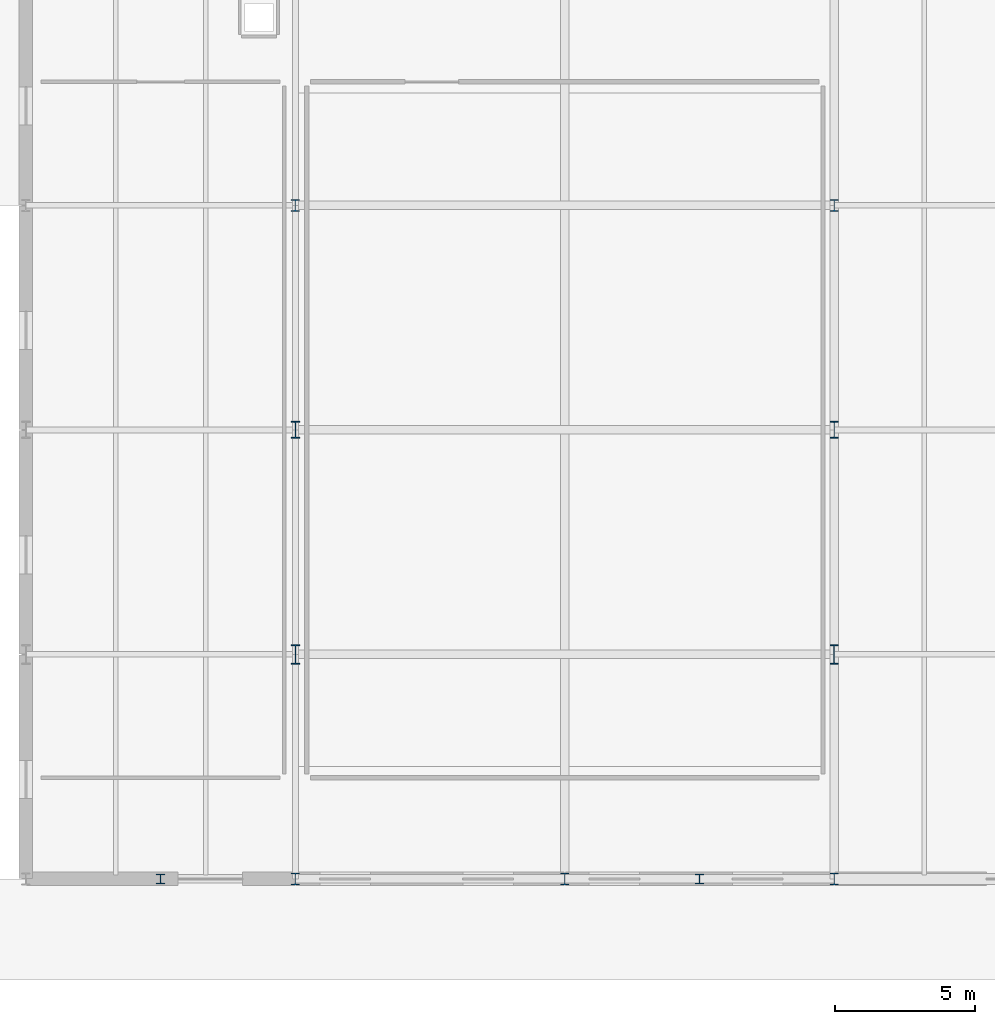
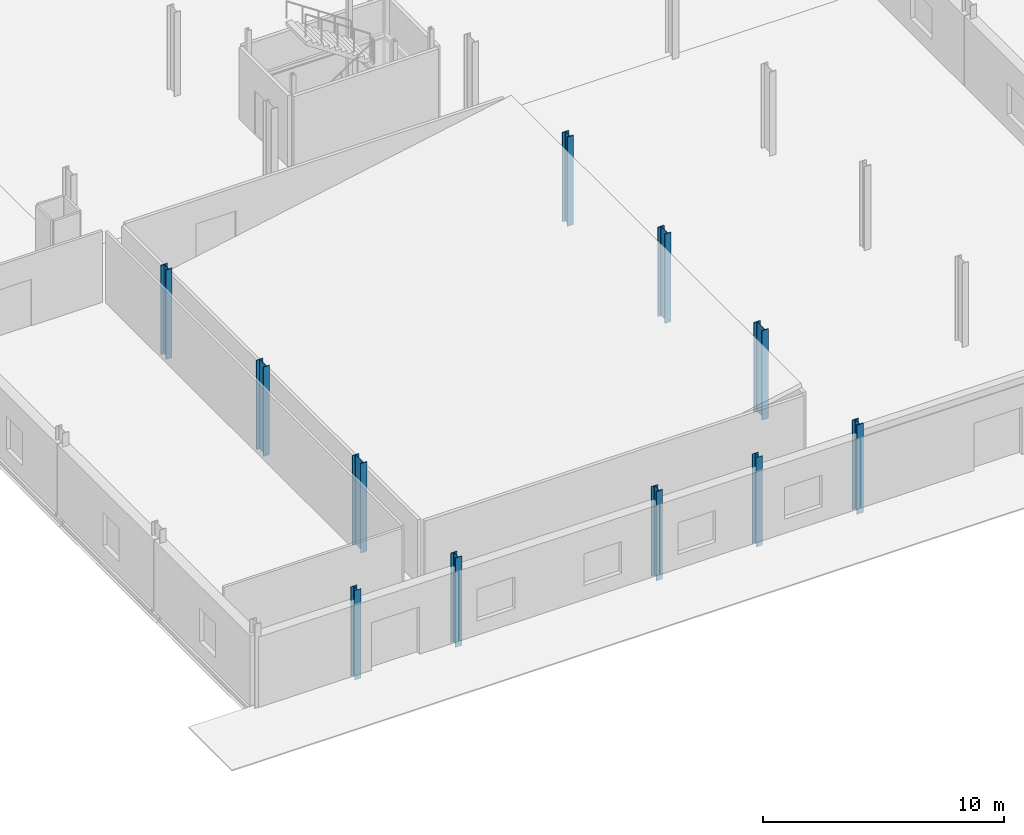
# One storey, part 4 of 78: 11 columns.
"""IFC4 building model written with IfcOpenShell, lengths in metres."""

import ifcopenshell
import ifcopenshell.guid

model = None  # the IFC model being written
_history = None  # IfcOwnerHistory: only IFC2X3 demands one
_inside = {}  # id of a spatial element -> (the spatial element, [elements in it])
_under = {}  # id of a project, library or spatial element -> (it, [spatial elements below it])
_declared = {}  # id of a project -> (the project, [libraries it declares])
_typed = {}  # id of a type object -> (the type object, [elements of that type])
_made_of = {}  # id of a material, layer set ... -> (it, [elements and type objects made of it])


def new_model(schema):
    """Start an empty IFC model of exactly this schema.

    Asked for "IFC4X3", IfcOpenShell would pick the latest addendum, in which some entities
    have other attributes; the version numbers below select the first issue.
    IFC2X3 requires an IfcOwnerHistory on every rooted entity: one is made here for all.
    """
    global model, _history
    if schema == "IFC4X3":
        model = ifcopenshell.file(schema_version=(4, 3, 0, 0))
    else:
        model = ifcopenshell.file(schema=schema)
    _inside.clear()
    _under.clear()
    _declared.clear()
    _typed.clear()
    _made_of.clear()
    _history = None
    if model.schema == "IFC2X3":
        org = make("IfcOrganization", Name="unknown")
        user = make(
            "IfcPersonAndOrganization",
            ThePerson=make("IfcPerson", FamilyName="unknown"),
            TheOrganization=org,
        )
        app = make(
            "IfcApplication",
            ApplicationDeveloper=org,
            Version="unknown",
            ApplicationFullName="unknown",
            ApplicationIdentifier="unknown",
        )
        _history = make(
            "IfcOwnerHistory",
            OwningUser=user,
            OwningApplication=app,
            ChangeAction="ADDED",
            CreationDate=0,
        )
    return model


def make(cls, **values):
    """One entity of the class cls with the attributes given. An attribute that is None is left unset."""
    return model.create_entity(
        cls, **{name: value for name, value in values.items() if value is not None}
    )


def rooted(cls, **values):
    """An entity with a GlobalId (a new one), such as an element, a storey or a relation."""
    return make(cls, GlobalId=ifcopenshell.guid.new(), OwnerHistory=_history, **values)


def si_unit(unit_type, name, prefix=None):
    """IfcSIUnit, for example si_unit("LENGTHUNIT", "METRE", prefix="MILLI")."""
    return make("IfcSIUnit", UnitType=unit_type, Prefix=prefix, Name=name)


def assignment(units):
    """IfcUnitAssignment: the units of a project."""
    return None if units is None else make("IfcUnitAssignment", Units=units)


def point(xyz):
    """IfcCartesianPoint."""
    return None if xyz is None else make("IfcCartesianPoint", Coordinates=xyz)


def direction(xyz):
    """IfcDirection."""
    return None if xyz is None else make("IfcDirection", DirectionRatios=xyz)


def frame(location, z_axis=None, x_axis=None):
    """IfcAxis2Placement3D, a coordinate frame: its origin and axes. An axis left out is left unset."""
    return make(
        "IfcAxis2Placement3D",
        Location=point(location),
        Axis=direction(z_axis),
        RefDirection=direction(x_axis),
    )


def frame_2d(location, x_axis=None):
    """IfcAxis2Placement2D, a coordinate frame in the plane: its origin and x axis."""
    return make(
        "IfcAxis2Placement2D", Location=point(location), RefDirection=direction(x_axis)
    )


def origin():
    """The frame at (0, 0, 0) with its axes left unset."""
    return frame((0.0, 0.0, 0.0))


def origin_2d():
    """The frame at (0, 0) in the plane with its x axis left unset."""
    return frame_2d((0.0, 0.0))


def place(relative_to, where):
    """IfcLocalPlacement: puts the frame where relative to a parent placement (None: the world)."""
    return make(
        "IfcLocalPlacement", PlacementRelTo=relative_to, RelativePlacement=where
    )


def context(
    kind, dimensions, precision=None, world=None, true_north=None, identifier=None
):
    """IfcGeometricRepresentationContext, for example the 3D "Model" context."""
    return make(
        "IfcGeometricRepresentationContext",
        ContextIdentifier=identifier,
        ContextType=kind,
        CoordinateSpaceDimension=dimensions,
        Precision=precision,
        WorldCoordinateSystem=world,
        TrueNorth=true_north,
    )


def subcontext(parent, identifier, kind, view, scale=None):
    """IfcGeometricRepresentationSubContext, for example "Body" below "Model"."""
    return make(
        "IfcGeometricRepresentationSubContext",
        ContextIdentifier=identifier,
        ContextType=kind,
        ParentContext=parent,
        TargetScale=scale,
        TargetView=view,
    )


def project(units=None, contexts=None):
    """IfcProject with its units and contexts."""
    return rooted(
        "IfcProject",
        Name="project",
        RepresentationContexts=contexts,
        UnitsInContext=assignment(units),
    )


def spatial(cls, under=None, at=None, **own):
    """A site, building, storey or space (cls), placed at a placement, below another one or the project."""
    s = rooted(cls, ObjectPlacement=at, **own)
    if under is not None:
        _under.setdefault(under.id(), (under, []))[1].append(s)
    return s


def profile(cls, at=None, kind="AREA", **sizes):
    """A parametric profile (cls). Its sizes go by their IFC names, for example OverallWidth=200.0."""
    return make(cls, ProfileType=kind, Position=at, **sizes)


def i_section(**sizes):
    """IfcIShapeProfileDef."""
    return profile("IfcIShapeProfileDef", **sizes)


def extrude(swept, where, along, depth):
    """IfcExtrudedAreaSolid: the profile swept, set in the frame where, extruded along a direction by depth."""
    return make(
        "IfcExtrudedAreaSolid",
        SweptArea=swept,
        Position=where,
        ExtrudedDirection=direction(along),
        Depth=depth,
    )


def shape(context_of_items, identifier, shape_type, items):
    """IfcShapeRepresentation: the items that make up one representation, for example the "Body"."""
    return make(
        "IfcShapeRepresentation",
        ContextOfItems=context_of_items,
        RepresentationIdentifier=identifier,
        RepresentationType=shape_type,
        Items=items,
    )


def material(Name=None, Category=None):
    """IfcMaterial."""
    return make("IfcMaterial", Name=Name, Category=Category)


def material_profile(
    of_material, cross_section, Name=None, Category=None, Priority=None
):
    """IfcMaterialProfile: a cross section and its material."""
    return make(
        "IfcMaterialProfile",
        Name=Name,
        Material=of_material,
        Profile=cross_section,
        Priority=Priority,
        Category=Category,
    )


def profile_set(profiles, Name=None, composite=None):
    """IfcMaterialProfileSet."""
    return make(
        "IfcMaterialProfileSet",
        Name=Name,
        MaterialProfiles=profiles,
        CompositeProfile=composite,
    )


def made_of(thing, what):
    """Note that an element or type object is made of a material, layer set ...; save() writes the relation."""
    if what is not None:
        _made_of.setdefault(what.id(), (what, []))[1].append(thing)
    return thing


def type_object(cls, material=None, **own):
    """A type object (cls), such as IfcWallType, which elements share."""
    return made_of(rooted(cls, **own), material)


def element(
    cls,
    number,
    at=None,
    inside=None,
    cuts=None,
    type_object=None,
    material=None,
    context=None,
    identifier="Body",
    shape_type=None,
    held_by="IfcProductDefinitionShape",
    body=None,
    shapes=None,
    **own,
):
    """One element of the class cls, such as IfcWall. Its Tag is "e" and its number.

    at: its placement. inside: the storey or other place that contains it. cuts: it is an
    opening in that element (IfcRelVoidsElement). A single representation is given by context,
    identifier, shape_type and body (its items); several are given by shapes. held_by: the class
    of the entity that holds the representations. save() writes the other relations.
    """
    e = rooted(cls, Tag="e%d" % number, ObjectPlacement=at, **own)
    if body is not None:
        shapes = [shape(context, identifier, shape_type, body)]
    if shapes is not None:
        e.Representation = make(held_by, Representations=shapes)
    if inside is not None:
        _inside.setdefault(inside.id(), (inside, []))[1].append(e)
    if cuts is not None:
        rooted(
            "IfcRelVoidsElement", RelatingBuildingElement=cuts, RelatedOpeningElement=e
        )
    if type_object is not None:
        _typed.setdefault(type_object.id(), (type_object, []))[1].append(e)
    return made_of(e, material)


def aggregate(whole, parts):
    """IfcRelAggregates: a whole, such as a stair, and the parts it consists of."""
    return rooted("IfcRelAggregates", RelatingObject=whole, RelatedObjects=parts)


def save(model, path):
    """Write the relations noted so far, then the file.

    IfcRelAggregates (storeys below a building ...), IfcRelContainedInSpatialStructure (elements
    in a storey), IfcRelDefinesByType, IfcRelAssociatesMaterial and IfcRelDeclares: one each for
    every whole, place, type object, material and project.
    """
    for whole, parts in _under.values():
        aggregate(whole, parts)
    for where, things in _inside.values():
        rooted(
            "IfcRelContainedInSpatialStructure",
            RelatedElements=things,
            RelatingStructure=where,
        )
    for kind, things in _typed.values():
        rooted("IfcRelDefinesByType", RelatedObjects=things, RelatingType=kind)
    for what, things in _made_of.values():
        rooted("IfcRelAssociatesMaterial", RelatedObjects=things, RelatingMaterial=what)
    for by, libraries in _declared.values():
        rooted("IfcRelDeclares", RelatingContext=by, RelatedDefinitions=libraries)
    model.write(path)


model = new_model("IFC4")

# Units and contexts
model_context = context("Model", 3, precision=1e-05, world=origin(), true_north=direction((0.0, 1.0)))
body_context = subcontext(model_context, "Body", "Model", "MODEL_VIEW")
ifc_project = project(units=[si_unit("LENGTHUNIT", "METRE"), si_unit("AREAUNIT", "SQUARE_METRE"), si_unit("VOLUMEUNIT", "CUBIC_METRE"), si_unit("PLANEANGLEUNIT", "RADIAN"), si_unit("MASSUNIT", "GRAM", prefix="KILO")], contexts=[model_context])

# Site, building, storey
site_placement = place(None, origin())
site = spatial("IfcSite", under=ifc_project, at=site_placement, CompositionType="ELEMENT")
building_placement = place(site_placement, origin())
building = spatial("IfcBuilding", under=site, at=building_placement, Name="Alderhovde Museum", CompositionType="ELEMENT")
storey_placement = place(building_placement, origin())
storey = spatial("IfcBuildingStorey", under=building, at=storey_placement, Name="L00", CompositionType="ELEMENT", Elevation=0.0)

# Columns
ifc_material_1 = material(Name="Steel S355J2", Category="steel")
ifc_material_profile_1 = material_profile(ifc_material_1, i_section(OverallWidth=0.300048828125, OverallDepth=0.60009765625, WebThickness=0.015380859375, FlangeThickness=0.030029296875, FilletRadius=0.027099609375, at=origin_2d()), Name="HEB 600")
ifc_profile_set_1 = profile_set([ifc_material_profile_1], Name="Steel S355J2")
column_type_1 = type_object("IfcColumnType", Name="COL-HEB600", PredefinedType="COLUMN", material=ifc_profile_set_1)
for number, where, z_axis, x_axis, name in (
    (1, (76.800048828125, 16.0, -0.280029296875), (0.0, 0.0, 1.0), (1.0, 0.0, 0.0), "L00 Column (76.8, 16.0)"),
    (2, (96.0, 16.0, -0.280029296875), (0.0, 0.0, 1.0), (1.0, 0.0, 0.0), "L00 Column (96.0, 16.0)"),
):
    element("IfcColumn", number, at=place(storey_placement, frame(where, z_axis=z_axis, x_axis=x_axis)), inside=storey, type_object=column_type_1, Name=name, PredefinedType="COLUMN", context=body_context, shape_type="SweptSolid", body=[
        extrude(i_section(OverallWidth=0.300048828125, OverallDepth=0.60009765625, WebThickness=0.015380859375, FlangeThickness=0.030029296875, FilletRadius=0.027099609375, at=origin_2d()), origin(), (0.0, 0.0, 1.0), 4.52001953125),
    ])
ifc_material_2 = material(Name="Steel S355J2", Category="steel")
ifc_material_profile_2 = material_profile(ifc_material_2, i_section(OverallWidth=0.300048828125, OverallDepth=0.699951171875, WebThickness=0.01708984375, FlangeThickness=0.031982421875, FilletRadius=0.027099609375, at=origin_2d()), Name="HEB 700")
ifc_profile_set_2 = profile_set([ifc_material_profile_2], Name="Steel S355J2")
column_type_2 = type_object("IfcColumnType", Name="COL-HEB700", PredefinedType="COLUMN", material=ifc_profile_set_2)
for number, where, z_axis, x_axis, name in (
    (3, (76.800048828125, 8.0, -0.280029296875), (0.0, 0.0, 1.0), (1.0, 0.0, 0.0), "L00 Column (76.8, 8.0)"),
    (4, (96.0, 8.0, -0.280029296875), (0.0, 0.0, 1.0), (1.0, 0.0, 0.0), "L00 Column (96.0, 8.0)"),
):
    element("IfcColumn", number, at=place(storey_placement, frame(where, z_axis=z_axis, x_axis=x_axis)), inside=storey, type_object=column_type_2, Name=name, PredefinedType="COLUMN", context=body_context, shape_type="SweptSolid", body=[
        extrude(i_section(OverallWidth=0.300048828125, OverallDepth=0.699951171875, WebThickness=0.01708984375, FlangeThickness=0.031982421875, FilletRadius=0.027099609375, at=origin_2d()), origin(), (0.0, 0.0, 1.0), 4.52001953125),
    ])
ifc_material_3 = material(Name="Steel S355J2", Category="steel")
ifc_material_profile_3 = material_profile(ifc_material_3, i_section(OverallWidth=0.306884765625, OverallDepth=0.431884765625, WebThickness=0.02099609375, FlangeThickness=0.0400390625, FilletRadius=0.027099609375, at=origin_2d()), Name="HEM 400")
ifc_profile_set_3 = profile_set([ifc_material_profile_3], Name="Steel S355J2")
column_type_3 = type_object("IfcColumnType", Name="COL-HEM400", PredefinedType="COLUMN", material=ifc_profile_set_3)
for number, where, z_axis, x_axis, name in (
    (5, (76.800048828125, 0.0, -0.280029296875), (0.0, 0.0, 1.0), (1.0, 0.0, 0.0), "L00 Column (76.8, 0.0)"),
    (6, (76.800048828125, 24.0, -0.280029296875), (0.0, 0.0, 1.0), (1.0, 0.0, 0.0), "L00 Column (76.8, 24.0)"),
    (7, (86.39990234375, 0.0, -0.280029296875), (0.0, 0.0, 1.0), (1.0, 0.0, 0.0), "L00 Column (86.4, 0.0)"),
    (8, (96.0, 0.0, -0.280029296875), (0.0, 0.0, 1.0), (1.0, 0.0, 0.0), "L00 Column (96.0, 0.0)"),
    (9, (96.0, 24.0, -0.280029296875), (0.0, 0.0, 1.0), (1.0, 0.0, 0.0), "L00 Column (96.0, 24.0)"),
):
    element("IfcColumn", number, at=place(storey_placement, frame(where, z_axis=z_axis, x_axis=x_axis)), inside=storey, type_object=column_type_3, Name=name, PredefinedType="COLUMN", context=body_context, shape_type="SweptSolid", body=[
        extrude(i_section(OverallWidth=0.306884765625, OverallDepth=0.431884765625, WebThickness=0.02099609375, FlangeThickness=0.0400390625, FilletRadius=0.027099609375, at=origin_2d()), origin(), (0.0, 0.0, 1.0), 4.52001953125),
    ])
ifc_material_4 = material(Name="Steel S355J2", Category="steel")
ifc_material_profile_4 = material_profile(ifc_material_4, i_section(OverallWidth=0.300048828125, OverallDepth=0.330078125, WebThickness=0.009521484375, FlangeThickness=0.0166015625, FilletRadius=0.027099609375, at=origin_2d()), Name="HEA 340")
ifc_profile_set_4 = profile_set([ifc_material_profile_4], Name="Steel S355J2")
column_type_4 = type_object("IfcColumnType", Name="PIL-HEA340", PredefinedType="PILASTER", material=ifc_profile_set_4)
for number, where, z_axis, x_axis, name in (
    (10, (72.0, 0.0, -0.280029296875), (0.0, 0.0, 1.0), (1.0, 0.0, 0.0), "L00 Structural Pilaster (72.0, 0.0)"),
    (11, (91.199951171875, 0.0, -0.280029296875), (0.0, 0.0, 1.0), (1.0, 0.0, 0.0), "L00 Structural Pilaster (91.2, 0.0)"),
):
    element("IfcColumn", number, at=place(storey_placement, frame(where, z_axis=z_axis, x_axis=x_axis)), inside=storey, type_object=column_type_4, Name=name, PredefinedType="PILASTER", context=body_context, shape_type="SweptSolid", body=[
        extrude(i_section(OverallWidth=0.300048828125, OverallDepth=0.330078125, WebThickness=0.009521484375, FlangeThickness=0.0166015625, FilletRadius=0.027099609375, at=origin_2d()), origin(), (0.0, 0.0, 1.0), 4.52001953125),
    ])

save(model, "model.ifc")
